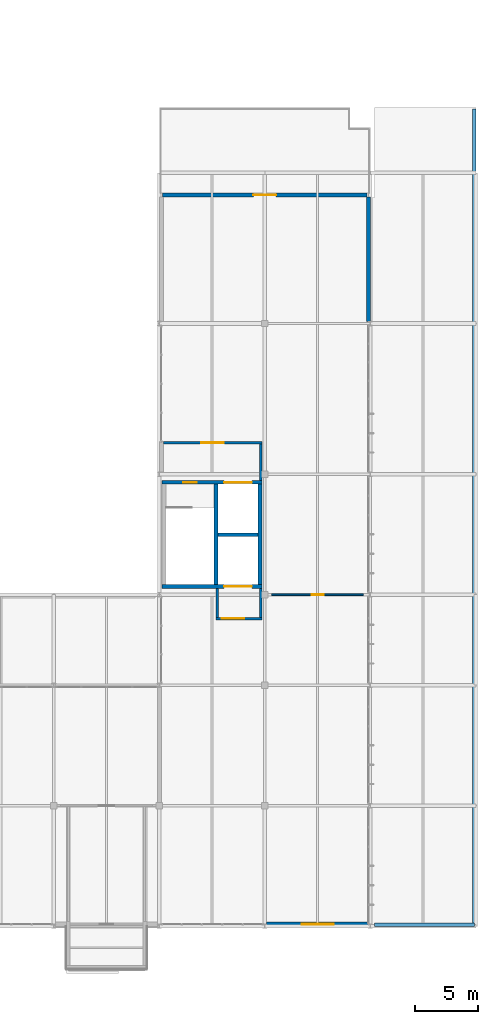
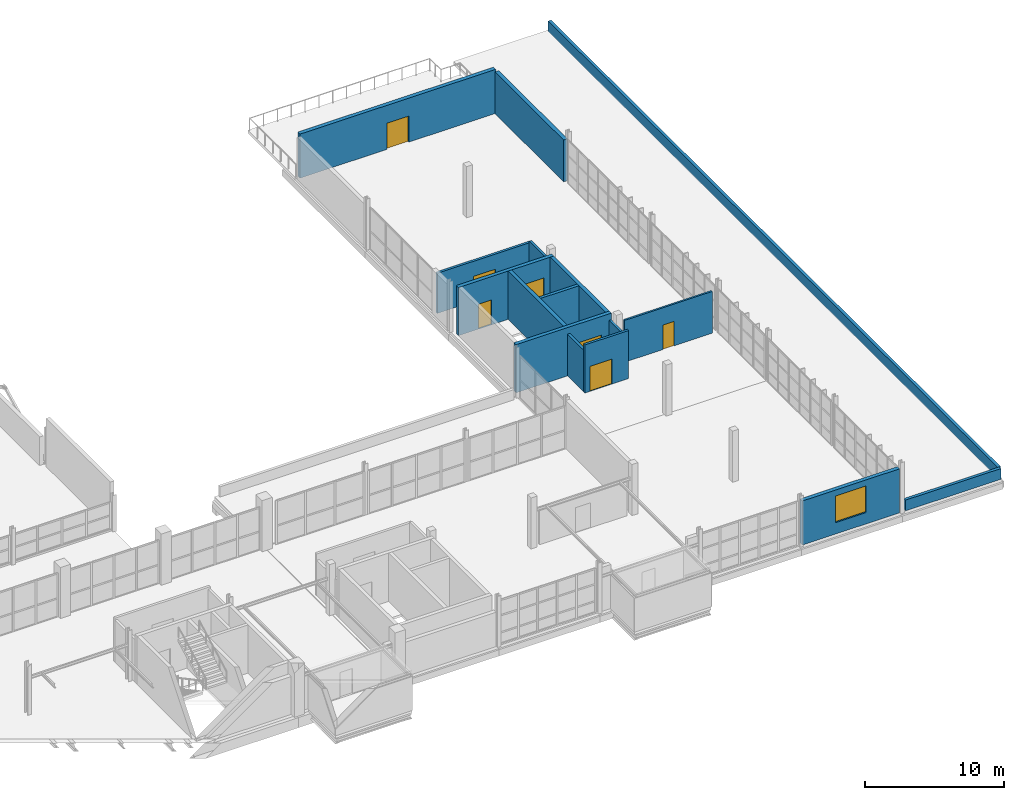
# One storey, part 96 of 103: 16 walls, 7 doors, 1 window, 8 openings.
"""IFC4 building model written with IfcOpenShell, lengths in metres."""

from ifc_helpers import new_model, si_unit, direction, frame, frame_2d, origin, place, context, subcontext, project, spatial, rectangle, extrude, material, layer, layer_set, type_object, element, fill, save


model = new_model("IFC4")

# Units and contexts
model_context = context("Model", 3, precision=1e-05, world=origin(), true_north=direction((0.0, 1.0)))
body_context = subcontext(model_context, "Body", "Model", "MODEL_VIEW")
ifc_project = project(units=[si_unit("LENGTHUNIT", "METRE"), si_unit("AREAUNIT", "SQUARE_METRE"), si_unit("VOLUMEUNIT", "CUBIC_METRE"), si_unit("PLANEANGLEUNIT", "RADIAN"), si_unit("MASSUNIT", "GRAM", prefix="KILO")], contexts=[model_context])

# Site, building, storey
site_placement = place(None, origin())
site = spatial("IfcSite", under=ifc_project, at=site_placement, CompositionType="ELEMENT")
building_placement = place(site_placement, origin())
building = spatial("IfcBuilding", under=site, at=building_placement, Name="Veltarok Museum of Natural Sciences", CompositionType="ELEMENT")
storey_placement = place(building_placement, frame((0.0, 0.0, 21.89990234375)))
storey = spatial("IfcBuildingStorey", under=building, at=storey_placement, Name="L04", CompositionType="ELEMENT", Elevation=21.89990234375)

# Wall, opening, door
ifc_material_1 = material(Name="Acoustic gypsum and mineral wool")
ifc_layer_1 = layer(ifc_material_1, 0.14990234375)
ifc_layer_set_1 = layer_set([ifc_layer_1], Name="Acoustic gypsum and mineral wool")
wall_type_1 = type_object("IfcWallType", Name="Conservation Laboratory Partition 150", PredefinedType="PARTITIONING", material=ifc_layer_set_1)
wall_1_placement = place(storey_placement, frame((141.35009765625, 26.39990234375, 0.0), z_axis=(0.0, 0.0, 1.0), x_axis=(1.0, 0.0, 0.0)))
wall_1 = element("IfcWall", 1, at=wall_1_placement, inside=storey, type_object=wall_type_1, Name="Interior Partition L04-057", PredefinedType="PARTITIONING", context=body_context, shape_type="SweptSolid", body=[
    extrude(rectangle(XDim=7.2998046875, YDim=0.14990234375, at=frame_2d((3.64990234375, 0.0))), origin(), (0.0, 0.0, 1.0), 3.68212890625),
])
opening_1_placement = place(wall_1_placement, frame((3.175048828125, 0.0, 0.0)))
opening_1 = element("IfcOpeningElement", 2, at=opening_1_placement, cuts=wall_1, Name="Opening D-L04-183", PredefinedType="OPENING", context=body_context, shape_type="SweptSolid", body=[
    extrude(rectangle(XDim=0.949951171875, YDim=2.14990234375, at=frame_2d((0.47509765625, 1.074951171875))), frame((0.0, 0.0849609375, 0.0), z_axis=(0.0, -1.0, 0.0), x_axis=(1.0, 0.0, 0.0)), (0.0, 0.0, 1.0), 0.169921875),
])
ifc_material_2 = material(Name="Solid European oak")
door_type_1 = type_object("IfcDoorType", Name="Curatorial Office Single Door 950x2150", OperationType="NOTDEFINED", PredefinedType="DOOR", material=ifc_material_2)
door_1_placement = place(opening_1_placement, frame((0.949951171875, 0.0, 0.0), z_axis=(0.0, 0.0, 1.0), x_axis=(-1.0, 0.0, 0.0)))
door_1 = element("IfcDoor", 3, at=door_1_placement, inside=storey, type_object=door_type_1, Name="Interior Door D-L04-183", OperationType="SINGLE_SWING_RIGHT", OverallHeight=2.14990234375, OverallWidth=0.949951171875, PredefinedType="DOOR", context=body_context, shape_type="SweptSolid", body=[
    extrude(rectangle(XDim=0.949951171875, YDim=2.14990234375, at=frame_2d((0.47509765625, 1.074951171875))), frame((0.0, 0.02490234375, 0.0), z_axis=(0.0, -1.0, 0.0), x_axis=(1.0, 0.0, 0.0)), (0.0, 0.0, 1.0), 0.050048828125),
])
fill(opening_1, door_1)

ifc_material_3 = material(Name="Concrete C35/45", Category="concrete")
ifc_layer_2 = layer(ifc_material_3, 0.199951171875)
ifc_layer_set_2 = layer_set([ifc_layer_2], Name="Concrete C35/45")
wall_type_2 = type_object("IfcWallType", Name="Firefighting Lobby Compartment Wall 200", PredefinedType="SOLIDWALL", material=ifc_layer_set_2)
wall_2_placement = place(storey_placement, frame((132.719970703125, 38.5, 0.0), z_axis=(0.0, 0.0, 1.0), x_axis=(1.0, 0.0, 0.0)))
wall_2 = element("IfcWall", 4, at=wall_2_placement, inside=storey, type_object=wall_type_2, Name="Firefighting Lobby Wall C5 L04 N", PredefinedType="SOLIDWALL", context=body_context, shape_type="SweptSolid", body=[
    extrude(rectangle(XDim=7.85009765625, YDim=0.199951171875, at=frame_2d((3.925048828125, 0.0))), origin(), (0.0, 0.0, 1.0), 3.531982421875),
])
opening_2_placement = place(wall_2_placement, frame((3.02490234375, 0.0, 0.0)))
opening_2 = element("IfcOpeningElement", 5, at=opening_2_placement, cuts=wall_2, Name="Opening D-L04-066", PredefinedType="OPENING", context=body_context, shape_type="SweptSolid", body=[
    extrude(rectangle(XDim=1.800048828125, YDim=2.199951171875, at=frame_2d((0.89990234375, 1.10009765625))), frame((0.0, 0.10986328125, 0.0), z_axis=(0.0, -1.0, 0.0), x_axis=(1.0, 0.0, 0.0)), (0.0, 0.0, 1.0), 0.219970703125),
])
ifc_material_4 = material(Name="Fire-rated steel and vision glass", Category="steel")
door_type_2 = type_object("IfcDoorType", Name="Fire Lobby Double Door 1800x2200", OperationType="NOTDEFINED", PredefinedType="DOOR", material=ifc_material_4)
door_2_placement = place(opening_2_placement, origin())
door_2 = element("IfcDoor", 6, at=door_2_placement, inside=storey, type_object=door_type_2, Name="Firefighting Lobby Entrance Door C5 L04", OperationType="DOUBLE_DOOR_SINGLE_SWING", OverallHeight=2.199951171875, OverallWidth=1.800048828125, PredefinedType="DOOR", context=body_context, shape_type="SweptSolid", body=[
    extrude(rectangle(XDim=1.800048828125, YDim=2.199951171875, at=frame_2d((0.89990234375, 1.10009765625))), frame((0.0, 0.02490234375, 0.0), z_axis=(0.0, -1.0, 0.0), x_axis=(1.0, 0.0, 0.0)), (0.0, 0.0, 1.0), 0.050048828125),
])
fill(opening_2, door_2)

# Wall
wall_3_placement = place(storey_placement, frame((140.469970703125, 38.39990234375, 0.0), z_axis=(0.0, 0.0, 1.0), x_axis=(0.0, -1.0, 0.0)))
element("IfcWall", 7, at=wall_3_placement, inside=storey, type_object=wall_type_2, Name="Firefighting Lobby Wall C5 L04 E", PredefinedType="SOLIDWALL", context=body_context, shape_type="SweptSolid", body=[
    extrude(rectangle(XDim=2.89990234375, YDim=0.199951171875, at=frame_2d((1.449951171875, 0.0))), origin(), (0.0, 0.0, 1.0), 3.68212890625),
])

# Wall, opening, door
wall_4_placement = place(storey_placement, frame((140.570068359375, 24.5, 0.0), z_axis=(0.0, 0.0, 1.0), x_axis=(-1.0, 0.0, 0.0)))
wall_4 = element("IfcWall", 8, at=wall_4_placement, inside=storey, type_object=wall_type_2, Name="South Freight Lift Lobby Wall C5S L04 S", PredefinedType="SOLIDWALL", context=body_context, shape_type="SweptSolid", body=[
    extrude(rectangle(XDim=3.650146484375, YDim=0.199951171875, at=frame_2d((1.8251953125, 0.0))), origin(), (0.0, 0.0, 1.0), 4.235107421875),
])
opening_3_placement = place(wall_4_placement, frame((1.39990234375, 0.0, 0.0)))
opening_3 = element("IfcOpeningElement", 9, at=opening_3_placement, cuts=wall_4, Name="Opening D-L04-067", PredefinedType="OPENING", context=body_context, shape_type="SweptSolid", body=[
    extrude(rectangle(XDim=1.800048828125, YDim=2.199951171875, at=frame_2d((0.89990234375, 1.10009765625))), frame((0.0, 0.10986328125, 0.0), z_axis=(0.0, -1.0, 0.0), x_axis=(1.0, 0.0, 0.0)), (0.0, 0.0, 1.0), 0.219970703125),
])
door_3_placement = place(opening_3_placement, origin())
door_3 = element("IfcDoor", 10, at=door_3_placement, inside=storey, type_object=door_type_2, Name="Freight Lift Lobby Door C5S L04", OperationType="DOUBLE_DOOR_SINGLE_SWING", OverallHeight=2.199951171875, OverallWidth=1.800048828125, PredefinedType="DOOR", context=body_context, shape_type="SweptSolid", body=[
    extrude(rectangle(XDim=1.800048828125, YDim=2.199951171875, at=frame_2d((0.89990234375, 1.10009765625))), frame((0.0, 0.02490234375, 0.0), z_axis=(0.0, -1.0, 0.0), x_axis=(1.0, 0.0, 0.0)), (0.0, 0.0, 1.0), 0.050048828125),
])
fill(opening_3, door_3)

# Walls
for number, where, z_axis, x_axis, name in (
    (11, (137.02001953125, 24.60009765625, 0.0), (0.0, 0.0, 1.0), (0.0, 1.0, 0.0), "South Freight Lift Lobby Wall C5S L04 W"),
    (12, (140.469970703125, 26.89990234375, 0.0), (0.0, 0.0, 1.0), (0.0, -1.0, 0.0), "South Freight Lift Lobby Wall C5S L04 E"),
):
    element("IfcWall", number, at=place(storey_placement, frame(where, z_axis=z_axis, x_axis=x_axis)), inside=storey, type_object=wall_type_2, Name=name, PredefinedType="SOLIDWALL", context=body_context, shape_type="SweptSolid", body=[
        extrude(rectangle(XDim=2.2998046875, YDim=0.199951171875, at=frame_2d((1.14990234375, 0.0))), origin(), (0.0, 0.0, 1.0), 3.68212890625),
    ])
ifc_material_5 = material(Name="Precast concrete C40/50", Category="concrete")
ifc_layer_3 = layer(ifc_material_5, 0.239990234375)
ifc_layer_set_3 = layer_set([ifc_layer_3], Name="Precast concrete C40/50")
wall_type_3 = type_object("IfcWallType", Name="Flat Roof Concrete Parapet Wall 240", PredefinedType="PARAPET", material=ifc_layer_set_3)
wall_5_placement = place(storey_placement, frame((149.550048828125, 0.1201171875, 0.0), z_axis=(0.0, 0.0, 1.0), x_axis=(1.0, 0.0, 0.0)))
element("IfcWall", 13, at=wall_5_placement, inside=storey, type_object=wall_type_3, Name="Roof Parapet Wall L04-16", PredefinedType="PARAPET", context=body_context, shape_type="SweptSolid", body=[
    extrude(rectangle(XDim=7.929931640625, YDim=0.239990234375, at=frame_2d((3.96484375, 0.0))), origin(), (0.0, 0.0, 1.0), 0.9501953125),
])
wall_6_placement = place(storey_placement, frame((157.47998046875, 0.239990234375, 0.0), z_axis=(0.0, 0.0, 1.0), x_axis=(0.0, 1.0, 0.0)))
element("IfcWall", 14, at=wall_6_placement, inside=storey, type_object=wall_type_3, Name="Roof Parapet Wall L04-17", PredefinedType="PARAPET", context=body_context, shape_type="SweptSolid", body=[
    extrude(rectangle(XDim=64.840087890625, YDim=0.239990234375, at=frame_2d((32.419921875, 0.0))), origin(), (0.0, 0.0, 1.0), 0.9501953125),
])

# Wall, opening, window
ifc_layer_4 = layer(ifc_material_5, 0.320068359375)
ifc_layer_set_4 = layer_set([ifc_layer_4], Name="Precast concrete C40/50")
wall_type_4 = type_object("IfcWallType", Name="Insulated Precast Facade Wall 320", PredefinedType="SOLIDWALL", material=ifc_layer_set_4)
wall_7_placement = place(storey_placement, frame((140.949951171875, 0.159912109375, 0.0), z_axis=(0.0, 0.0, 1.0), x_axis=(1.0, 0.0, 0.0)))
wall_7 = element("IfcWall", 15, at=wall_7_placement, inside=storey, type_object=wall_type_4, Name="V5 South Lab Facade Wall L04 17-18", PredefinedType="SOLIDWALL", context=body_context, shape_type="SweptSolid", body=[
    extrude(rectangle(XDim=8.10009765625, YDim=0.320068359375, at=frame_2d((4.050048828125, 0.0))), origin(), (0.0, 0.0, 1.0), 3.880126953125),
])
opening_4_placement = place(wall_7_placement, frame((2.77490234375, 0.0, 1.0)))
opening_4 = element("IfcOpeningElement", 16, at=opening_4_placement, cuts=wall_7, Name="Opening W-L04-024", PredefinedType="OPENING", context=body_context, shape_type="SweptSolid", body=[
    extrude(rectangle(XDim=2.550048828125, YDim=2.35009765625, at=frame_2d((1.27490234375, 1.175048828125))), frame((0.0, 0.169921875, 0.0), z_axis=(0.0, -1.0, 0.0), x_axis=(1.0, 0.0, 0.0)), (0.0, 0.0, 1.0), 0.340087890625),
])
ifc_material_6 = material(Name="Low-iron triple insulated glass", Category="glass")
window_type = type_object("IfcWindowType", Name="Library Reading Window 2550x2350", PartitioningType="SINGLE_PANEL", PredefinedType="WINDOW", material=ifc_material_6)
window_placement = place(opening_4_placement, origin())
window = element("IfcWindow", 17, at=window_placement, inside=storey, type_object=window_type, Name="Lab Window L04 17-18", OverallHeight=2.35009765625, OverallWidth=2.550048828125, PartitioningType="SINGLE_PANEL", PredefinedType="WINDOW", context=body_context, shape_type="SweptSolid", body=[
    extrude(rectangle(XDim=2.550048828125, YDim=2.35009765625, at=frame_2d((1.27490234375, 1.175048828125))), frame((0.0, 0.030029296875, 0.0), z_axis=(0.0, -1.0, 0.0), x_axis=(1.0, 0.0, 0.0)), (0.0, 0.0, 1.0), 0.06005859375),
])
fill(opening_4, window)

# Wall, opening, door
wall_8_placement = place(storey_placement, frame((132.64990234375, 58.239990234375, 0.0), z_axis=(0.0, 0.0, 1.0), x_axis=(1.0, 0.0, 0.0)))
wall_8 = element("IfcWall", 18, at=wall_8_placement, inside=storey, type_object=wall_type_4, Name="Terrace Access Wall L04 D-L04-T01", PredefinedType="SOLIDWALL", context=body_context, shape_type="SweptSolid", body=[
    extrude(rectangle(XDim=16.300048828125, YDim=0.320068359375, at=frame_2d((8.14990234375, 0.0))), origin(), (0.0, 0.0, 1.0), 3.880126953125),
])
opening_5_placement = place(wall_8_placement, frame((7.25, 0.0, 0.0)))
opening_5 = element("IfcOpeningElement", 19, at=opening_5_placement, cuts=wall_8, Name="Opening D-L04-T01", PredefinedType="OPENING", context=body_context, shape_type="SweptSolid", body=[
    extrude(rectangle(XDim=1.800048828125, YDim=2.300048828125, at=frame_2d((0.89990234375, 1.14990234375))), frame((0.0, 0.169921875, 0.0), z_axis=(0.0, -1.0, 0.0), x_axis=(1.0, 0.0, 0.0)), (0.0, 0.0, 1.0), 0.340087890625),
])
ifc_material_7 = material(Name="Thermally broken aluminium and glass", Category="aluminium")
door_type_3 = type_object("IfcDoorType", Name="Terrace Double Glazed Door 1800x2300", OperationType="NOTDEFINED", PredefinedType="DOOR", material=ifc_material_7)
door_4_placement = place(opening_5_placement, origin())
door_4 = element("IfcDoor", 20, at=door_4_placement, inside=storey, type_object=door_type_3, Name="Terrace Access Door D-L04-T01", OperationType="DOUBLE_DOOR_SINGLE_SWING", OverallHeight=2.300048828125, OverallWidth=1.800048828125, PredefinedType="DOOR", context=body_context, shape_type="SweptSolid", body=[
    extrude(rectangle(XDim=1.800048828125, YDim=2.300048828125, at=frame_2d((0.89990234375, 1.14990234375))), frame((0.0, 0.02490234375, 0.0), z_axis=(0.0, -1.0, 0.0), x_axis=(1.0, 0.0, 0.0)), (0.0, 0.0, 1.0), 0.050048828125),
])
fill(opening_5, door_4)

# Walls
wall_9_placement = place(storey_placement, frame((149.0400390625, 58.080078125, 0.0), z_axis=(0.0, 0.0, 1.0), x_axis=(0.0, -1.0, 0.0)))
element("IfcWall", 21, at=wall_9_placement, inside=storey, type_object=wall_type_4, Name="V5 East Setback Return Wall L04", PredefinedType="SOLIDWALL", context=body_context, shape_type="SweptSolid", body=[
    extrude(rectangle(XDim=9.91015625, YDim=0.320068359375, at=frame_2d((4.955078125, 0.0))), origin(), (0.0, 0.0, 1.0), 3.68212890625),
])
ifc_material_8 = material(Name="Concrete C40/50", Category="concrete")
ifc_layer_5 = layer(ifc_material_8, 0.25)
ifc_layer_set_5 = layer_set([ifc_layer_5], Name="Concrete C40/50")
wall_type_5 = type_object("IfcWallType", Name="Lift Shaft Concrete Shear Wall 250", PredefinedType="SHEAR", material=ifc_layer_set_5)
wall_10_placement = place(storey_placement, frame((137.070068359375, 31.175048828125, 0.0), z_axis=(0.0, 0.0, 1.0), x_axis=(1.0, 0.0, 0.0)))
element("IfcWall", 22, at=wall_10_placement, inside=storey, type_object=wall_type_5, Name="Lift Shaft Divider Wall C5 L04", PredefinedType="SHEAR", context=body_context, shape_type="SweptSolid", body=[
    extrude(rectangle(XDim=3.199951171875, YDim=0.25, at=frame_2d((1.60009765625, 0.0))), origin(), (0.0, 0.0, 1.0), 4.25),
])

# Wall, opening, door
ifc_layer_6 = layer(ifc_material_8, 0.300048828125)
ifc_layer_set_6 = layer_set([ifc_layer_6], Name="Concrete C40/50")
wall_type_6 = type_object("IfcWallType", Name="Protected Core Shear Wall 300", PredefinedType="SHEAR", material=ifc_layer_set_6)
wall_11_placement = place(storey_placement, frame((132.6298828125, 27.050048828125, 0.0), z_axis=(0.0, 0.0, 1.0), x_axis=(1.0, 0.0, 0.0)))
wall_11 = element("IfcWall", 23, at=wall_11_placement, inside=storey, type_object=wall_type_6, Name="Core Shear Wall C5 L04 S", PredefinedType="SHEAR", context=body_context, shape_type="SweptSolid", body=[
    extrude(rectangle(XDim=7.940185546875, YDim=0.300048828125, at=frame_2d((3.97021484375, 0.0))), origin(), (0.0, 0.0, 1.0), 4.25),
])
opening_6_placement = place(wall_11_placement, frame((4.93994140625, 0.0, 0.0)))
opening_6 = element("IfcOpeningElement", 24, at=opening_6_placement, cuts=wall_11, Name="Opening LD-L04-GL-01", PredefinedType="OPENING", context=body_context, shape_type="SweptSolid", body=[
    extrude(rectangle(XDim=2.199951171875, YDim=2.60009765625, at=frame_2d((1.10009765625, 1.300048828125))), frame((0.0, 0.16015625, 0.0), z_axis=(0.0, -1.0, 0.0), x_axis=(1.0, 0.0, 0.0)), (0.0, 0.0, 1.0), 0.320068359375),
])
ifc_material_9 = material(Name="Heavy stainless steel", Category="steel")
door_type_4 = type_object("IfcDoorType", Name="Art Freight Lift Bi-Parting Landing Door 2200x2600", OperationType="SLIDING_TO_LEFT", PredefinedType="DOOR", material=ifc_material_9)
door_5_placement = place(opening_6_placement, origin())
door_5 = element("IfcDoor", 25, at=door_5_placement, inside=storey, type_object=door_type_4, Name="Sliding Lift Landing Door LD-L04-GL-01", OperationType="SLIDING_TO_LEFT", OverallHeight=2.60009765625, OverallWidth=2.199951171875, PredefinedType="DOOR", context=body_context, shape_type="SweptSolid", body=[
    extrude(rectangle(XDim=2.199951171875, YDim=2.60009765625, at=frame_2d((1.10009765625, 1.300048828125))), frame((0.0, 0.02490234375, 0.0), z_axis=(0.0, -1.0, 0.0), x_axis=(1.0, 0.0, 0.0)), (0.0, 0.0, 1.0), 0.050048828125),
])
fill(opening_6, door_5)

# Wall, openings, doors
wall_12_placement = place(storey_placement, frame((140.570068359375, 35.35009765625, 0.0), z_axis=(0.0, 0.0, 1.0), x_axis=(-1.0, 0.0, 0.0)))
wall_12 = element("IfcWall", 26, at=wall_12_placement, inside=storey, type_object=wall_type_6, Name="Core Shear Wall C5 L04 N", PredefinedType="SHEAR", context=body_context, shape_type="SweptSolid", body=[
    extrude(rectangle(XDim=7.940185546875, YDim=0.300048828125, at=frame_2d((3.97021484375, 0.0))), origin(), (0.0, 0.0, 1.0), 4.25),
])
opening_7_placement = place(wall_12_placement, frame((5.169921875, 0.0, 0.0)))
opening_7 = element("IfcOpeningElement", 27, at=opening_7_placement, cuts=wall_12, Name="Opening D-L04-065", PredefinedType="OPENING", context=body_context, shape_type="SweptSolid", body=[
    extrude(rectangle(XDim=1.10009765625, YDim=2.199951171875, at=frame_2d((0.550048828125, 1.10009765625))), frame((0.0, 0.16015625, 0.0), z_axis=(0.0, -1.0, 0.0), x_axis=(1.0, 0.0, 0.0)), (0.0, 0.0, 1.0), 0.320068359375),
])
opening_8_placement = place(wall_12_placement, frame((0.800048828125, 0.0, 0.0)))
opening_8 = element("IfcOpeningElement", 28, at=opening_8_placement, cuts=wall_12, Name="Opening LD-L04-GL-02", PredefinedType="OPENING", context=body_context, shape_type="SweptSolid", body=[
    extrude(rectangle(XDim=2.199951171875, YDim=2.60009765625, at=frame_2d((1.10009765625, 1.300048828125))), frame((0.0, 0.16015625, 0.0), z_axis=(0.0, -1.0, 0.0), x_axis=(1.0, 0.0, 0.0)), (0.0, 0.0, 1.0), 0.320068359375),
])
door_6_placement = place(opening_8_placement, origin())
door_6 = element("IfcDoor", 29, at=door_6_placement, inside=storey, type_object=door_type_4, Name="Sliding Lift Landing Door LD-L04-GL-02", OperationType="SLIDING_TO_LEFT", OverallHeight=2.60009765625, OverallWidth=2.199951171875, PredefinedType="DOOR", context=body_context, shape_type="SweptSolid", body=[
    extrude(rectangle(XDim=2.199951171875, YDim=2.60009765625, at=frame_2d((1.10009765625, 1.300048828125))), frame((0.0, 0.02490234375, 0.0), z_axis=(0.0, -1.0, 0.0), x_axis=(1.0, 0.0, 0.0)), (0.0, 0.0, 1.0), 0.050048828125),
])
fill(opening_8, door_6)
ifc_material_10 = material(Name="Fire-rated painted steel", Category="steel")
door_type_5 = type_object("IfcDoorType", Name="Fire Core Single Escape Door 1100x2200", OperationType="NOTDEFINED", PredefinedType="DOOR", material=ifc_material_10)
door_7_placement = place(opening_7_placement, origin())
door_7 = element("IfcDoor", 30, at=door_7_placement, inside=storey, type_object=door_type_5, Name="Protected Stair Door ST-05 L04", OperationType="SINGLE_SWING_LEFT", OverallHeight=2.199951171875, OverallWidth=1.10009765625, PredefinedType="DOOR", context=body_context, shape_type="SweptSolid", body=[
    extrude(rectangle(XDim=1.10009765625, YDim=2.199951171875, at=frame_2d((0.550048828125, 1.10009765625))), frame((0.0, 0.02490234375, 0.0), z_axis=(0.0, -1.0, 0.0), x_axis=(1.0, 0.0, 0.0)), (0.0, 0.0, 1.0), 0.050048828125),
])
fill(opening_7, door_7)

# Walls
for number, where, z_axis, x_axis, name in (
    (31, (140.419921875, 27.199951171875, 0.0), (0.0, 0.0, 1.0), (0.0, 1.0, 0.0), "Core Shear Wall C5 L04 E"),
    (32, (136.919921875, 27.199951171875, 0.0), (0.0, 0.0, 1.0), (0.0, 1.0, 0.0), "Core Shear Wall C5 L04 DIV"),
):
    element("IfcWall", number, at=place(storey_placement, frame(where, z_axis=z_axis, x_axis=x_axis)), inside=storey, type_object=wall_type_6, Name=name, PredefinedType="SHEAR", context=body_context, shape_type="SweptSolid", body=[
        extrude(rectangle(XDim=8.0, YDim=0.300048828125, at=frame_2d((4.0, 0.0))), origin(), (0.0, 0.0, 1.0), 4.25),
    ])

save(model, "model.ifc")
